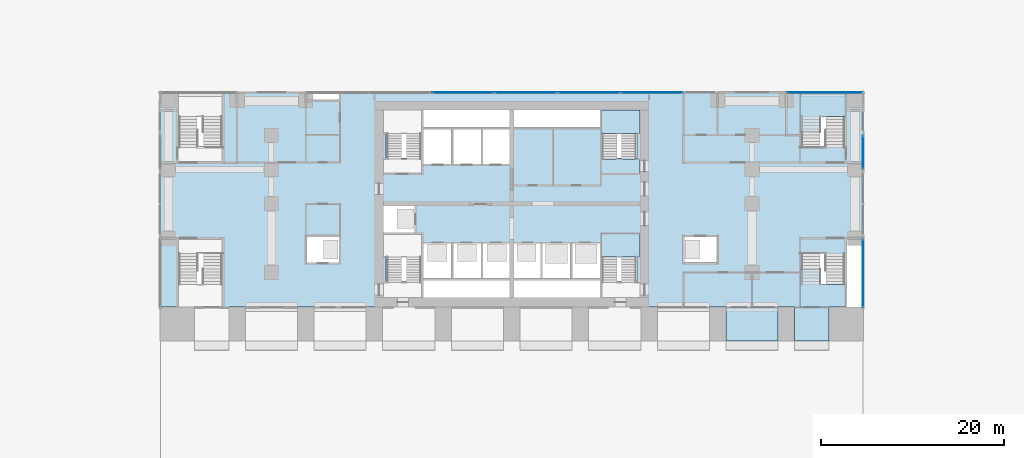
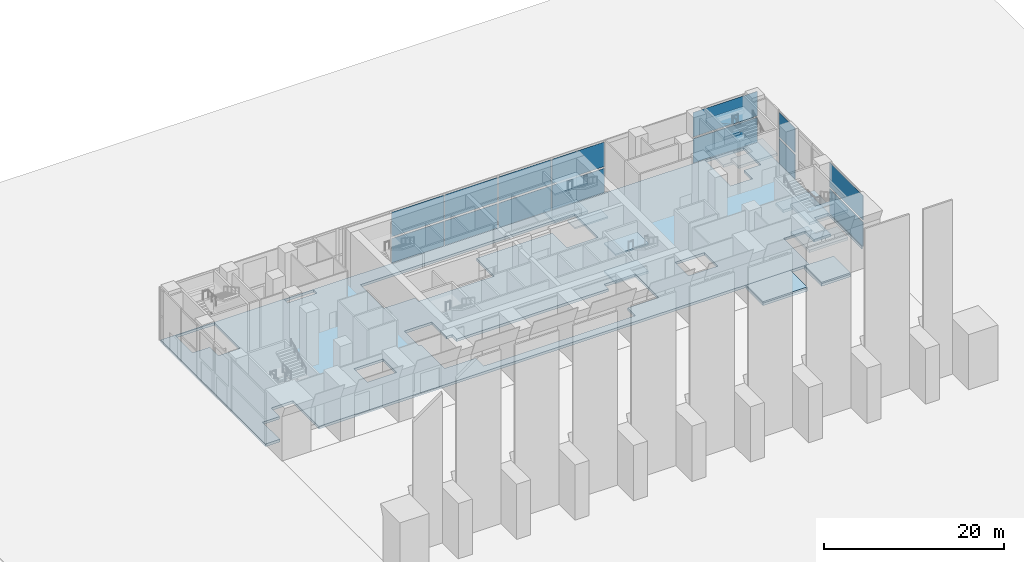
# One storey, part 9 of 21: 16 slabs, 14 plates, 14 elements without a shape of their own.
"""IFC4 building model written with IfcOpenShell, lengths in metres."""

from ifc_helpers import new_model, si_unit, direction, frame, origin, origin_2d, place, context, subcontext, project, spatial, polyline, rectangle, outline, extrude, material, layer, layer_set, type_object, element, aggregate, save


model = new_model("IFC4")

# Units and contexts
model_context = context("Model", 3, precision=1e-05, world=origin(), true_north=direction((0.0, 1.0)))
body_context = subcontext(model_context, "Body", "Model", "MODEL_VIEW")
ifc_project = project(units=[si_unit("LENGTHUNIT", "METRE"), si_unit("AREAUNIT", "SQUARE_METRE"), si_unit("VOLUMEUNIT", "CUBIC_METRE"), si_unit("PLANEANGLEUNIT", "RADIAN"), si_unit("MASSUNIT", "GRAM", prefix="KILO")], contexts=[model_context])

# Site, building, storey
site_placement = place(None, origin())
site = spatial("IfcSite", under=ifc_project, at=site_placement, CompositionType="ELEMENT")
building_placement = place(site_placement, origin())
building = spatial("IfcBuilding", under=site, at=building_placement, Name="Pilkhan Gate Tower", CompositionType="ELEMENT")
storey_placement = place(building_placement, origin())
storey = spatial("IfcBuildingStorey", under=building, at=storey_placement, Name="L00", CompositionType="ELEMENT", Elevation=0.0)

# Slab
ifc_material_1 = material(Name="Concrete C40/50", Category="concrete")
ifc_layer_1 = layer(ifc_material_1, 0.35009765625)
ifc_layer_set_1 = layer_set([ifc_layer_1], Name="Flat plate slab FP350")
slab_type_1 = type_object("IfcSlabType", Name="Flat plate slab FP350", PredefinedType="FLOOR", material=ifc_layer_set_1)
slab_1_placement = place(storey_placement, frame((0.0, 0.0, -0.35009765625)))
element("IfcSlab", 1, at=slab_1_placement, inside=storey, type_object=slab_type_1, Name="Floor slab L00", PredefinedType="FLOOR", context=body_context, shape_type="SweptSolid", body=[
    extrude(outline(polyline([(36.64990234375, 94.60009765625), (113.35009765625, 94.60009765625), (113.35009765625, 71.25), (113.264892578125, 71.25), (113.264892578125, 78.75), (111.5, 78.75), (111.5, 75.10009765625), (109.300048828125, 75.10009765625), (109.300048828125, 77.0), (106.5, 77.0), (106.5, 71.25), (43.5, 71.25), (43.5, 77.0), (40.699951171875, 77.0), (40.699951171875, 75.10009765625), (38.5, 75.10009765625), (38.5, 71.25), (36.64990234375, 71.25), (36.64990234375, 94.60009765625)]), holes=[polyline([(109.300048828125, 94.5), (106.5, 94.5), (106.5, 88.75), (109.300048828125, 88.75), (109.300048828125, 90.64990234375), (111.5, 90.64990234375), (111.5, 94.5), (109.300048828125, 94.5)]), polyline([(97.5, 79.0), (93.75, 79.0), (93.75, 76.0), (97.5, 76.0), (97.5, 79.0)]), polyline([(71.75, 86.75), (75.0, 86.75), (75.0, 90.75), (84.75, 90.75), (84.75, 87.5), (88.75, 87.5), (88.75, 92.75), (84.75, 92.75), (75.0, 92.75), (65.25, 92.75), (61.25, 92.75), (61.25, 87.5), (65.25, 87.5), (65.25, 86.75), (68.5, 86.75), (71.75, 86.75)]), polyline([(84.75, 72.25), (84.75, 74.0), (88.75, 74.0), (88.75, 79.25), (84.75, 79.25), (84.75, 78.25), (81.5, 78.25), (78.25, 78.25), (75.0, 78.25), (71.75, 78.25), (68.5, 78.25), (65.25, 78.25), (65.25, 79.25), (64.5, 79.25), (64.5, 82.5), (61.25, 82.5), (61.0, 82.5), (61.0, 79.25), (61.25, 79.25), (61.25, 74.0), (65.25, 74.0), (65.25, 72.25), (75.0, 72.25), (84.75, 72.25)]), polyline([(56.25, 79.0), (52.5, 79.0), (52.5, 76.0), (56.25, 76.0), (56.25, 79.0)]), polyline([(38.5, 90.64990234375), (40.699951171875, 90.64990234375), (40.699951171875, 88.75), (43.5, 88.75), (43.5, 94.5), (40.699951171875, 94.5), (38.5, 94.5), (38.5, 90.64990234375)]), polyline([(52.5, 93.75), (56.25, 93.75), (56.25, 94.514892578125), (52.5, 94.514892578125), (52.5, 93.75)])]), origin(), (0.0, 0.0, 1.0), 0.35009765625),
])

# Curtain wall, plate
ifc_material_2 = material(Name="Pale anodised aluminium, clear low-iron laminated glazing", Category="aluminium")
curtain_wall_type = type_object("IfcCurtainWallType", Name="Podium unitised curtain wall CW-P", PredefinedType="USERDEFINED", material=ifc_material_2)
curtain_wall_1_placement = place(storey_placement, origin())
curtain_wall_1 = element("IfcCurtainWall", 2, at=curtain_wall_1_placement, inside=storey, type_object=curtain_wall_type, Name="Podium unitised curtain wall CW-P L00 E", ObjectType="UNITISED CURTAIN WALL", PredefinedType="USERDEFINED")
ifc_material_3 = material(Name="Clear low-iron laminated glazing", Category="glass")
ifc_layer_2 = layer(ifc_material_3, 0.048095703125)
ifc_layer_set_2 = layer_set([ifc_layer_2], Name="Glass panel CW-P 48")
plate_type = type_object("IfcPlateType", Name="Glass panel CW-P 48", PredefinedType="CURTAIN_PANEL", material=ifc_layer_set_2)
plate_1_placement = place(storey_placement, frame((113.39501953125, 74.927490234375, 0.0), z_axis=(0.0, 0.0, 1.0), x_axis=(0.0, 1.0, 0.0)))
plate_1 = element("IfcPlate", 3, at=plate_1_placement, type_object=plate_type, Name="CW-P panel 1", PredefinedType="CURTAIN_PANEL", context=body_context, shape_type="SweptSolid", body=[
    extrude(rectangle(XDim=7.485107421875, YDim=0.048095703125, at=origin_2d()), origin(), (0.0, 0.0, 1.0), 3.324951171875),
])
aggregate(curtain_wall_1, [plate_1])

curtain_wall_2_placement = place(storey_placement, origin())
curtain_wall_2 = element("IfcCurtainWall", 4, at=curtain_wall_2_placement, inside=storey, type_object=curtain_wall_type, Name="Podium unitised curtain wall CW-P L00 E", ObjectType="UNITISED CURTAIN WALL", PredefinedType="USERDEFINED")
plate_2_placement = place(storey_placement, frame((113.39501953125, 74.927490234375, 3.5751953125), z_axis=(0.0, 0.0, 1.0), x_axis=(0.0, 1.0, 0.0)))
plate_2 = element("IfcPlate", 5, at=plate_2_placement, type_object=plate_type, Name="CW-P panel 1", PredefinedType="CURTAIN_PANEL", context=body_context, shape_type="SweptSolid", body=[
    extrude(rectangle(XDim=7.485107421875, YDim=0.048095703125, at=origin_2d()), origin(), (0.0, 0.0, 1.0), 3.324951171875),
])
aggregate(curtain_wall_2, [plate_2])

curtain_wall_3_placement = place(storey_placement, origin())
curtain_wall_3 = element("IfcCurtainWall", 6, at=curtain_wall_3_placement, inside=storey, type_object=curtain_wall_type, Name="Podium unitised curtain wall CW-P L00 E", ObjectType="UNITISED CURTAIN WALL", PredefinedType="USERDEFINED")
plate_3_placement = place(storey_placement, frame((113.39501953125, 88.125, 0.0), z_axis=(0.0, 0.0, 1.0), x_axis=(0.0, 1.0, 0.0)))
plate_3 = element("IfcPlate", 7, at=plate_3_placement, type_object=plate_type, Name="CW-P panel 1", PredefinedType="CURTAIN_PANEL", context=body_context, shape_type="SweptSolid", body=[
    extrude(rectangle(XDim=3.590087890625, YDim=0.048095703125, at=origin_2d()), origin(), (0.0, 0.0, 1.0), 3.324951171875),
])
aggregate(curtain_wall_3, [plate_3])

curtain_wall_4_placement = place(storey_placement, origin())
curtain_wall_4 = element("IfcCurtainWall", 8, at=curtain_wall_4_placement, inside=storey, type_object=curtain_wall_type, Name="Podium unitised curtain wall CW-P L00 E", ObjectType="UNITISED CURTAIN WALL", PredefinedType="USERDEFINED")
plate_4_placement = place(storey_placement, frame((113.39501953125, 88.125, 3.5751953125), z_axis=(0.0, 0.0, 1.0), x_axis=(0.0, 1.0, 0.0)))
plate_4 = element("IfcPlate", 9, at=plate_4_placement, type_object=plate_type, Name="CW-P panel 1", PredefinedType="CURTAIN_PANEL", context=body_context, shape_type="SweptSolid", body=[
    extrude(rectangle(XDim=3.590087890625, YDim=0.048095703125, at=origin_2d()), origin(), (0.0, 0.0, 1.0), 3.324951171875),
])
aggregate(curtain_wall_4, [plate_4])

# Curtain wall, plates
curtain_wall_5_placement = place(storey_placement, origin())
curtain_wall_5 = element("IfcCurtainWall", 10, at=curtain_wall_5_placement, inside=storey, type_object=curtain_wall_type, Name="Podium unitised curtain wall CW-P L00 N", ObjectType="UNITISED CURTAIN WALL", PredefinedType="USERDEFINED")
plate_5_placement = place(storey_placement, frame((69.70751953125, 94.64501953125, 0.0), z_axis=(0.0, 0.0, 1.0), x_axis=(1.0, 0.0, 0.0)))
plate_5 = element("IfcPlate", 11, at=plate_5_placement, type_object=plate_type, Name="CW-P panel 1", PredefinedType="CURTAIN_PANEL", context=body_context, shape_type="SweptSolid", body=[
    extrude(rectangle(XDim=6.7548828125, YDim=0.048095703125, at=origin_2d()), origin(), (0.0, 0.0, 1.0), 3.324951171875),
])
plate_6_placement = place(storey_placement, frame((76.54248046875, 94.64501953125, 0.0), z_axis=(0.0, 0.0, 1.0), x_axis=(1.0, 0.0, 0.0)))
plate_6 = element("IfcPlate", 12, at=plate_6_placement, type_object=plate_type, Name="CW-P panel 2", PredefinedType="CURTAIN_PANEL", context=body_context, shape_type="SweptSolid", body=[
    extrude(rectangle(XDim=6.7548828125, YDim=0.048095703125, at=origin_2d()), origin(), (0.0, 0.0, 1.0), 3.324951171875),
])
aggregate(curtain_wall_5, [plate_5, plate_6])

curtain_wall_6_placement = place(storey_placement, origin())
curtain_wall_6 = element("IfcCurtainWall", 13, at=curtain_wall_6_placement, inside=storey, type_object=curtain_wall_type, Name="Podium unitised curtain wall CW-P L00 N", ObjectType="UNITISED CURTAIN WALL", PredefinedType="USERDEFINED")
plate_7_placement = place(storey_placement, frame((83.45751953125, 94.64501953125, 0.0), z_axis=(0.0, 0.0, 1.0), x_axis=(1.0, 0.0, 0.0)))
plate_7 = element("IfcPlate", 14, at=plate_7_placement, type_object=plate_type, Name="CW-P panel 1", PredefinedType="CURTAIN_PANEL", context=body_context, shape_type="SweptSolid", body=[
    extrude(rectangle(XDim=6.7548828125, YDim=0.048095703125, at=origin_2d()), origin(), (0.0, 0.0, 1.0), 3.324951171875),
])
plate_8_placement = place(storey_placement, frame((90.29248046875, 94.64501953125, 0.0), z_axis=(0.0, 0.0, 1.0), x_axis=(1.0, 0.0, 0.0)))
plate_8 = element("IfcPlate", 15, at=plate_8_placement, type_object=plate_type, Name="CW-P panel 2", PredefinedType="CURTAIN_PANEL", context=body_context, shape_type="SweptSolid", body=[
    extrude(rectangle(XDim=6.7548828125, YDim=0.048095703125, at=origin_2d()), origin(), (0.0, 0.0, 1.0), 3.324951171875),
])
aggregate(curtain_wall_6, [plate_7, plate_8])

curtain_wall_7_placement = place(storey_placement, origin())
curtain_wall_7 = element("IfcCurtainWall", 16, at=curtain_wall_7_placement, inside=storey, type_object=curtain_wall_type, Name="Podium unitised curtain wall CW-P L00 N", ObjectType="UNITISED CURTAIN WALL", PredefinedType="USERDEFINED")
plate_9_placement = place(storey_placement, frame((69.70751953125, 94.64501953125, 3.5751953125), z_axis=(0.0, 0.0, 1.0), x_axis=(1.0, 0.0, 0.0)))
plate_9 = element("IfcPlate", 17, at=plate_9_placement, type_object=plate_type, Name="CW-P panel 1", PredefinedType="CURTAIN_PANEL", context=body_context, shape_type="SweptSolid", body=[
    extrude(rectangle(XDim=6.7548828125, YDim=0.048095703125, at=origin_2d()), origin(), (0.0, 0.0, 1.0), 3.324951171875),
])
plate_10_placement = place(storey_placement, frame((76.54248046875, 94.64501953125, 3.5751953125), z_axis=(0.0, 0.0, 1.0), x_axis=(1.0, 0.0, 0.0)))
plate_10 = element("IfcPlate", 18, at=plate_10_placement, type_object=plate_type, Name="CW-P panel 2", PredefinedType="CURTAIN_PANEL", context=body_context, shape_type="SweptSolid", body=[
    extrude(rectangle(XDim=6.7548828125, YDim=0.048095703125, at=origin_2d()), origin(), (0.0, 0.0, 1.0), 3.324951171875),
])
aggregate(curtain_wall_7, [plate_9, plate_10])

curtain_wall_8_placement = place(storey_placement, origin())
curtain_wall_8 = element("IfcCurtainWall", 19, at=curtain_wall_8_placement, inside=storey, type_object=curtain_wall_type, Name="Podium unitised curtain wall CW-P L00 N", ObjectType="UNITISED CURTAIN WALL", PredefinedType="USERDEFINED")
plate_11_placement = place(storey_placement, frame((83.45751953125, 94.64501953125, 3.5751953125), z_axis=(0.0, 0.0, 1.0), x_axis=(1.0, 0.0, 0.0)))
plate_11 = element("IfcPlate", 20, at=plate_11_placement, type_object=plate_type, Name="CW-P panel 1", PredefinedType="CURTAIN_PANEL", context=body_context, shape_type="SweptSolid", body=[
    extrude(rectangle(XDim=6.7548828125, YDim=0.048095703125, at=origin_2d()), origin(), (0.0, 0.0, 1.0), 3.324951171875),
])
plate_12_placement = place(storey_placement, frame((90.29248046875, 94.64501953125, 3.5751953125), z_axis=(0.0, 0.0, 1.0), x_axis=(1.0, 0.0, 0.0)))
plate_12 = element("IfcPlate", 21, at=plate_12_placement, type_object=plate_type, Name="CW-P panel 2", PredefinedType="CURTAIN_PANEL", context=body_context, shape_type="SweptSolid", body=[
    extrude(rectangle(XDim=6.7548828125, YDim=0.048095703125, at=origin_2d()), origin(), (0.0, 0.0, 1.0), 3.324951171875),
])
aggregate(curtain_wall_8, [plate_11, plate_12])

# Curtain wall, plate
curtain_wall_9_placement = place(storey_placement, origin())
curtain_wall_9 = element("IfcCurtainWall", 22, at=curtain_wall_9_placement, inside=storey, type_object=curtain_wall_type, Name="Podium unitised curtain wall CW-P L00 N", ObjectType="UNITISED CURTAIN WALL", PredefinedType="USERDEFINED")
plate_13_placement = place(storey_placement, frame((109.197509765625, 94.64501953125, 0.0), z_axis=(0.0, 0.0, 1.0), x_axis=(1.0, 0.0, 0.0)))
plate_13 = element("IfcPlate", 23, at=plate_13_placement, type_object=plate_type, Name="CW-P panel 1", PredefinedType="CURTAIN_PANEL", context=body_context, shape_type="SweptSolid", body=[
    extrude(rectangle(XDim=8.235107421875, YDim=0.048095703125, at=origin_2d()), origin(), (0.0, 0.0, 1.0), 3.324951171875),
])
aggregate(curtain_wall_9, [plate_13])

curtain_wall_10_placement = place(storey_placement, origin())
curtain_wall_10 = element("IfcCurtainWall", 24, at=curtain_wall_10_placement, inside=storey, type_object=curtain_wall_type, Name="Podium unitised curtain wall CW-P L00 N", ObjectType="UNITISED CURTAIN WALL", PredefinedType="USERDEFINED")
plate_14_placement = place(storey_placement, frame((109.197509765625, 94.64501953125, 3.5751953125), z_axis=(0.0, 0.0, 1.0), x_axis=(1.0, 0.0, 0.0)))
plate_14 = element("IfcPlate", 25, at=plate_14_placement, type_object=plate_type, Name="CW-P panel 1", PredefinedType="CURTAIN_PANEL", context=body_context, shape_type="SweptSolid", body=[
    extrude(rectangle(XDim=8.235107421875, YDim=0.048095703125, at=origin_2d()), origin(), (0.0, 0.0, 1.0), 3.324951171875),
])
aggregate(curtain_wall_10, [plate_14])

# Slabs
ifc_layer_3 = layer(ifc_material_1, 0.35009765625)
ifc_layer_set_3 = layer_set([ifc_layer_3], Name="Niche deck slab ND350")
slab_type_2 = type_object("IfcSlabType", Name="Niche deck slab ND350", PredefinedType="FLOOR", material=ifc_layer_set_3)
slab_2_placement = place(storey_placement, frame((0.0, 0.0, -0.550048828125)))
element("IfcSlab", 26, at=slab_2_placement, inside=storey, type_object=slab_type_2, Name="Niche deck slab 9", PredefinedType="FLOOR", context=body_context, shape_type="SweptSolid", body=[
    extrude(outline(polyline([(98.39990234375, 67.5), (104.10009765625, 67.5), (104.10009765625, 71.25), (98.39990234375, 71.25), (98.39990234375, 67.5)])), origin(), (0.0, 0.0, 1.0), 0.35009765625),
])
slab_3_placement = place(storey_placement, frame((0.0, 0.0, -0.550048828125)))
element("IfcSlab", 27, at=slab_3_placement, inside=storey, type_object=slab_type_2, Name="Niche deck slab 10", PredefinedType="FLOOR", context=body_context, shape_type="SweptSolid", body=[
    extrude(outline(polyline([(105.89990234375, 67.5), (109.64990234375, 67.5), (109.64990234375, 71.25), (105.89990234375, 71.25), (105.89990234375, 67.5)])), origin(), (0.0, 0.0, 1.0), 0.35009765625),
])

# Stair, slabs
ifc_material_4 = material(Name="Concrete C40/50 precast", Category="concrete")
stair_type_1 = type_object("IfcStairType", Name="Stair ST1 170x280", PredefinedType="HALF_TURN_STAIR", material=ifc_material_4)
stair_1_placement = place(storey_placement, origin())
stair_1 = element("IfcStair", 28, at=stair_1_placement, inside=storey, type_object=stair_type_1, Name="Stair ST1 L00", PredefinedType="HALF_TURN_STAIR")
ifc_layer_4 = layer(ifc_material_1, 0.199951171875)
ifc_layer_set_4 = layer_set([ifc_layer_4], Name="Stair landing SL200")
slab_type_3 = type_object("IfcSlabType", Name="Stair landing SL200", PredefinedType="LANDING", material=ifc_layer_set_4)
slab_4_placement = place(storey_placement, frame((0.0, 0.0, 1.574951171875)))
slab_4 = element("IfcSlab", 29, at=slab_4_placement, type_object=slab_type_3, Name="ST1 landing 1", PredefinedType="LANDING", context=body_context, shape_type="SweptSolid", body=[
    extrude(outline(polyline([(89.0, 76.699951171875), (89.0, 79.25), (84.75, 79.25), (84.75, 76.699951171875), (89.0, 76.699951171875)])), origin(), (0.0, 0.0, 1.0), 0.300048828125),
])
slab_5_placement = place(storey_placement, frame((0.0, 0.0, 5.425048828125)))
slab_5 = element("IfcSlab", 30, at=slab_5_placement, type_object=slab_type_3, Name="ST1 landing 3", PredefinedType="LANDING", context=body_context, shape_type="SweptSolid", body=[
    extrude(outline(polyline([(89.0, 76.699951171875), (89.0, 79.25), (84.75, 79.25), (84.75, 76.699951171875), (89.0, 76.699951171875)])), origin(), (0.0, 0.0, 1.0), 0.199951171875),
])
aggregate(stair_1, [slab_4, slab_5])

stair_type_2 = type_object("IfcStairType", Name="Stair ST4 170x280", PredefinedType="HALF_TURN_STAIR", material=ifc_material_4)
stair_2_placement = place(storey_placement, origin())
stair_2 = element("IfcStair", 31, at=stair_2_placement, inside=storey, type_object=stair_type_2, Name="Stair ST4 L00", PredefinedType="HALF_TURN_STAIR")
slab_6_placement = place(storey_placement, frame((0.0, 0.0, 1.574951171875)))
slab_6 = element("IfcSlab", 32, at=slab_6_placement, type_object=slab_type_3, Name="ST4 landing 1", PredefinedType="LANDING", context=body_context, shape_type="SweptSolid", body=[
    extrude(outline(polyline([(89.0, 90.199951171875), (89.0, 92.75), (84.75, 92.75), (84.75, 90.199951171875), (89.0, 90.199951171875)])), origin(), (0.0, 0.0, 1.0), 0.300048828125),
])
slab_7_placement = place(storey_placement, frame((0.0, 0.0, 3.550048828125)))
slab_7 = element("IfcSlab", 33, at=slab_7_placement, type_object=slab_type_3, Name="ST4 landing 2", PredefinedType="LANDING", context=body_context, shape_type="SweptSolid", body=[
    extrude(outline(polyline([(89.0, 85.75), (89.0, 87.39990234375), (84.75, 87.39990234375), (84.75, 85.75), (89.0, 85.75)])), origin(), (0.0, 0.0, 1.0), 0.199951171875),
])
slab_8_placement = place(storey_placement, frame((0.0, 0.0, 5.425048828125)))
slab_8 = element("IfcSlab", 34, at=slab_8_placement, type_object=slab_type_3, Name="ST4 landing 3", PredefinedType="LANDING", context=body_context, shape_type="SweptSolid", body=[
    extrude(outline(polyline([(89.0, 90.199951171875), (89.0, 92.75), (84.75, 92.75), (84.75, 90.199951171875), (89.0, 90.199951171875)])), origin(), (0.0, 0.0, 1.0), 0.199951171875),
])
aggregate(stair_2, [slab_6, slab_7, slab_8])

stair_type_3 = type_object("IfcStairType", Name="Stair PS2 170x340", PredefinedType="HALF_TURN_STAIR", material=ifc_material_4)
stair_3_placement = place(storey_placement, origin())
stair_3 = element("IfcStair", 35, at=stair_3_placement, inside=storey, type_object=stair_type_3, Name="Stair PS2 L00", PredefinedType="HALF_TURN_STAIR")
ifc_layer_5 = layer(ifc_material_1, 0.35009765625)
ifc_layer_set_5 = layer_set([ifc_layer_5], Name="Stair landing SL350")
slab_type_4 = type_object("IfcSlabType", Name="Stair landing SL350", PredefinedType="LANDING", material=ifc_layer_set_5)
slab_9_placement = place(storey_placement, frame((0.0, 0.0, 1.52490234375)))
slab_9 = element("IfcSlab", 36, at=slab_9_placement, type_object=slab_type_4, Name="PS2 landing 1", PredefinedType="LANDING", context=body_context, shape_type="SweptSolid", body=[
    extrude(outline(polyline([(106.5, 90.35009765625), (108.699951171875, 90.35009765625), (108.699951171875, 92.049560546875), (111.5, 92.049560546875), (111.5, 94.5), (106.5, 94.5), (106.5, 92.050048828125), (106.5, 92.049560546875), (106.5, 90.35009765625)])), origin(), (0.0, 0.0, 1.0), 0.35009765625),
])
slab_10_placement = place(storey_placement, frame((0.0, 0.0, 3.39990234375)))
slab_10 = element("IfcSlab", 37, at=slab_10_placement, type_object=slab_type_4, Name="PS2 landing 2", PredefinedType="LANDING", context=body_context, shape_type="SweptSolid", body=[
    extrude(outline(polyline([(106.5, 88.650390625), (106.5, 87.0), (111.5, 87.0), (111.5, 88.64990234375), (111.5, 88.650390625), (111.5, 90.35009765625), (109.300048828125, 90.35009765625), (109.300048828125, 88.650390625), (106.5, 88.650390625)])), origin(), (0.0, 0.0, 1.0), 0.35009765625),
])
slab_11_placement = place(storey_placement, frame((0.0, 0.0, 5.27490234375)))
slab_11 = element("IfcSlab", 38, at=slab_11_placement, type_object=slab_type_4, Name="PS2 landing 3", PredefinedType="LANDING", context=body_context, shape_type="SweptSolid", body=[
    extrude(outline(polyline([(106.5, 90.35009765625), (108.699951171875, 90.35009765625), (108.699951171875, 92.049560546875), (111.5, 92.049560546875), (111.5, 94.5), (106.5, 94.5), (106.5, 92.050048828125), (106.5, 92.049560546875), (106.5, 90.35009765625)])), origin(), (0.0, 0.0, 1.0), 0.35009765625),
])
aggregate(stair_3, [slab_9, slab_10, slab_11])

stair_type_4 = type_object("IfcStairType", Name="Stair PS4 170x340", PredefinedType="HALF_TURN_STAIR", material=ifc_material_4)
stair_4_placement = place(storey_placement, origin())
stair_4 = element("IfcStair", 39, at=stair_4_placement, inside=storey, type_object=stair_type_4, Name="Stair PS4 L00", PredefinedType="HALF_TURN_STAIR")
slab_12_placement = place(storey_placement, frame((0.0, 0.0, 1.52490234375)))
slab_12 = element("IfcSlab", 40, at=slab_12_placement, type_object=slab_type_4, Name="PS4 landing 1", PredefinedType="LANDING", context=body_context, shape_type="SweptSolid", body=[
    extrude(outline(polyline([(106.5, 75.39990234375), (108.699951171875, 75.39990234375), (108.699951171875, 73.700439453125), (111.5, 73.700439453125), (111.5, 71.25), (106.5, 71.25), (106.5, 73.699951171875), (106.5, 73.700439453125), (106.5, 75.39990234375)])), origin(), (0.0, 0.0, 1.0), 0.35009765625),
])
slab_13_placement = place(storey_placement, frame((0.0, 0.0, 3.39990234375)))
slab_13 = element("IfcSlab", 41, at=slab_13_placement, type_object=slab_type_4, Name="PS4 landing 2", PredefinedType="LANDING", context=body_context, shape_type="SweptSolid", body=[
    extrude(outline(polyline([(106.5, 77.099609375), (106.5, 78.75), (111.5, 78.75), (111.5, 77.10009765625), (111.5, 77.099609375), (111.5, 75.39990234375), (109.300048828125, 75.39990234375), (109.300048828125, 77.099609375), (106.5, 77.099609375)])), origin(), (0.0, 0.0, 1.0), 0.35009765625),
])
slab_14_placement = place(storey_placement, frame((0.0, 0.0, 5.27490234375)))
slab_14 = element("IfcSlab", 42, at=slab_14_placement, type_object=slab_type_4, Name="PS4 landing 3", PredefinedType="LANDING", context=body_context, shape_type="SweptSolid", body=[
    extrude(outline(polyline([(106.5, 75.39990234375), (108.699951171875, 75.39990234375), (108.699951171875, 73.700439453125), (111.5, 73.700439453125), (111.5, 71.25), (106.5, 71.25), (106.5, 73.699951171875), (106.5, 73.700439453125), (106.5, 75.39990234375)])), origin(), (0.0, 0.0, 1.0), 0.35009765625),
])
aggregate(stair_4, [slab_12, slab_13, slab_14])

# Slabs
ifc_material_5 = material(Name="Pale granite paving on compacted base", Category="masonry")
ifc_layer_6 = layer(ifc_material_5, 0.199951171875)
ifc_layer_set_6 = layer_set([ifc_layer_6], Name="Street paving PV200")
slab_type_5 = type_object("IfcSlabType", Name="Street paving PV200", PredefinedType="USERDEFINED", material=ifc_layer_set_6)
slab_15_placement = place(storey_placement, frame((0.0, 0.0, -0.199951171875)))
element("IfcSlab", 43, at=slab_15_placement, inside=storey, type_object=slab_type_5, Name="Street paving", ObjectType="PAVING", PredefinedType="USERDEFINED", context=body_context, shape_type="SweptSolid", body=[
    extrude(outline(polyline([(109.64990234375, 71.25), (109.64990234375, 67.5), (105.89990234375, 67.5), (105.89990234375, 71.25), (106.5, 71.25), (109.64990234375, 71.25)])), origin(), (0.0, 0.0, 1.0), 0.199951171875),
])
slab_16_placement = place(storey_placement, frame((0.0, 0.0, -0.199951171875)))
element("IfcSlab", 44, at=slab_16_placement, inside=storey, type_object=slab_type_5, Name="Street paving", ObjectType="PAVING", PredefinedType="USERDEFINED", context=body_context, shape_type="SweptSolid", body=[
    extrude(outline(polyline([(104.10009765625, 71.25), (104.10009765625, 67.5), (98.39990234375, 67.5), (98.39990234375, 71.25), (104.10009765625, 71.25)])), origin(), (0.0, 0.0, 1.0), 0.199951171875),
])

save(model, "model.ifc")
